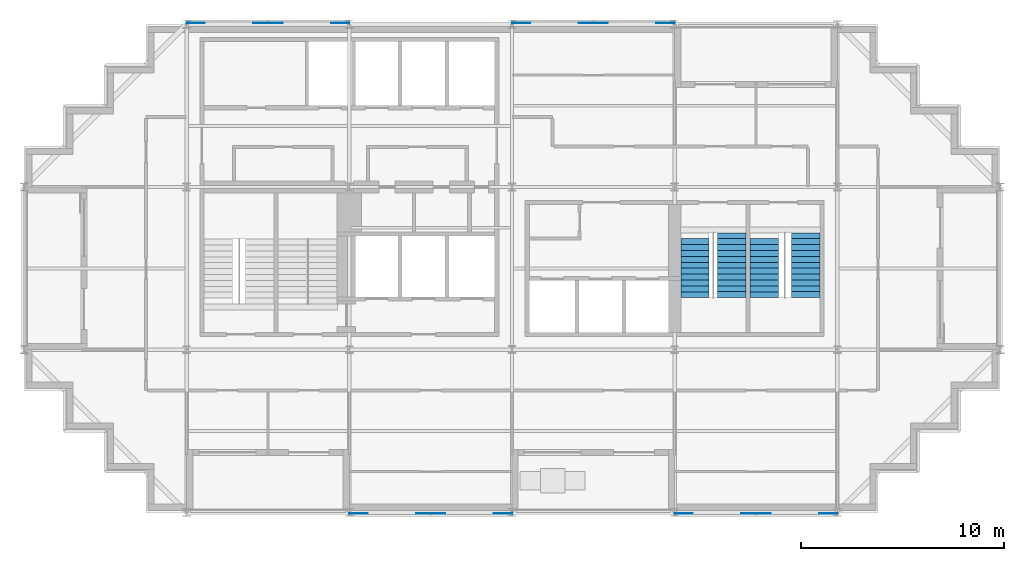
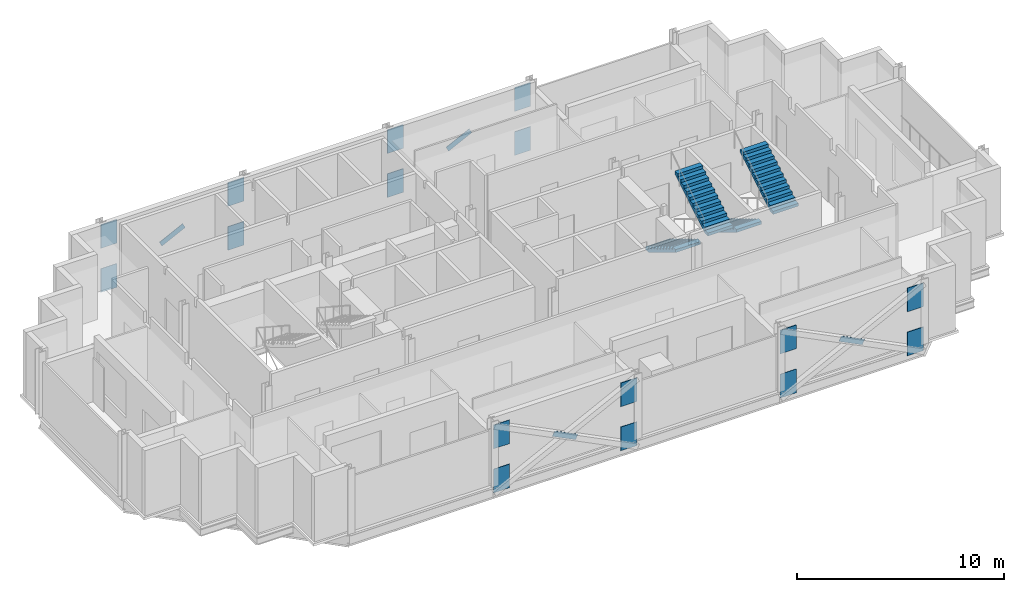
# One storey, part 8 of 10: 20 discrete accessories, 4 stair flights, 2 elements without a shape of their own.
"""IFC4 building model written with IfcOpenShell, lengths in metres."""

from ifc_helpers import new_model, si_unit, direction, frame, origin, origin_2d, place, context, subcontext, project, spatial, polyline, rectangle, outline, extrude, material, material_profile, profile_set, type_object, element, aggregate, save


model = new_model("IFC4")

# Units and contexts
model_context = context("Model", 3, precision=1e-05, world=origin(), true_north=direction((0.0, 1.0)))
body_context = subcontext(model_context, "Body", "Model", "MODEL_VIEW")
ifc_project = project(units=[si_unit("LENGTHUNIT", "METRE"), si_unit("AREAUNIT", "SQUARE_METRE"), si_unit("VOLUMEUNIT", "CUBIC_METRE"), si_unit("PLANEANGLEUNIT", "RADIAN"), si_unit("MASSUNIT", "GRAM", prefix="KILO")], contexts=[model_context])

# Site, building, storey
site_placement = place(None, origin())
site = spatial("IfcSite", under=ifc_project, at=site_placement, CompositionType="ELEMENT")
building_placement = place(site_placement, origin())
building = spatial("IfcBuilding", under=site, at=building_placement, Name="Immortelle Media Tower", CompositionType="ELEMENT")
storey_placement = place(building_placement, frame((0.0, 0.0, 263.0)))
storey = spatial("IfcBuildingStorey", under=building, at=storey_placement, Name="L57", CompositionType="ELEMENT", Elevation=263.0)

# Stair, stair flights
ifc_material_1 = material(Name="Steel ASTM A992 Gr 50", Category="steel")
stair_type = type_object("IfcStairType", Name="Stair with flights", PredefinedType="DOUBLE_RETURN_STAIR", material=ifc_material_1)
stair_1_placement = place(storey_placement, origin())
stair_1 = element("IfcStair", 1, at=stair_1_placement, inside=storey, type_object=stair_type, Name="Exit stair SE1", PredefinedType="DOUBLE_RETURN_STAIR")
stair_flight_type = type_object("IfcStairFlightType", Name="Stair flight 1400", PredefinedType="STRAIGHT", material=ifc_material_1)
stair_flight_1_placement = place(storey_placement, frame((33.0, 13.4599609375, 0.0), z_axis=(0.0, 0.0, 1.0), x_axis=(0.0, -1.0, 0.0)))
stair_flight_1 = element("IfcStairFlight", 2, at=stair_flight_1_placement, type_object=stair_flight_type, Name="ST SE1 flight 1", NumberOfRisers=11, NumberOfTreads=10, PredefinedType="STRAIGHT", RiserHeight=0.173913043, TreadLength=0.29, context=body_context, shape_type="SweptSolid", body=[
    extrude(outline(polyline([(0.0, 0.0), (0.0, 0.173828125), (0.2900390625, 0.173828125), (0.2900390625, 0.347900390625), (0.580078125, 0.347900390625), (0.580078125, 0.521728515625), (0.8701171875, 0.521728515625), (0.8701171875, 0.695556640625), (1.159912109375, 0.695556640625), (1.159912109375, 0.86962890625), (1.449951171875, 0.86962890625), (1.449951171875, 1.04345703125), (1.739990234375, 1.04345703125), (1.739990234375, 1.21728515625), (2.030029296875, 1.21728515625), (2.030029296875, 1.391357421875), (2.320068359375, 1.391357421875), (2.320068359375, 1.565185546875), (2.610107421875, 1.565185546875), (2.610107421875, 1.739013671875), (2.89990234375, 1.739013671875), (2.89990234375, 1.9130859375), (2.89990234375, 1.564453125), (0.29150390625, 0.0), (0.0, 0.0)])), frame((0.0, 0.699951171875, 0.0), z_axis=(0.0, -1.0, 0.0), x_axis=(1.0, 0.0, 0.0)), (0.0, 0.0, 1.0), 1.39990234375),
])
stair_flight_2_placement = place(storey_placement, frame((34.800048828125, 10.56005859375, 1.9130859375), z_axis=(0.0, 0.0, 1.0), x_axis=(0.0, 1.0, 0.0)))
stair_flight_2 = element("IfcStairFlight", 3, at=stair_flight_2_placement, type_object=stair_flight_type, Name="ST SE1 flight 2", NumberOfRisers=12, NumberOfTreads=11, PredefinedType="STRAIGHT", RiserHeight=0.173913043, TreadLength=0.29, context=body_context, shape_type="SweptSolid", body=[
    extrude(outline(polyline([(0.0, 0.0), (0.0, 0.173828125), (0.2900390625, 0.173828125), (0.2900390625, 0.347900390625), (0.580078125, 0.347900390625), (0.580078125, 0.521728515625), (0.8701171875, 0.521728515625), (0.8701171875, 0.695556640625), (1.159912109375, 0.695556640625), (1.159912109375, 0.86962890625), (1.449951171875, 0.86962890625), (1.449951171875, 1.04345703125), (1.739990234375, 1.04345703125), (1.739990234375, 1.21728515625), (2.030029296875, 1.21728515625), (2.030029296875, 1.391357421875), (2.320068359375, 1.391357421875), (2.320068359375, 1.565185546875), (2.610107421875, 1.565185546875), (2.610107421875, 1.739013671875), (2.89990234375, 1.739013671875), (2.89990234375, 1.9130859375), (3.18994140625, 1.9130859375), (3.18994140625, 2.0869140625), (3.18994140625, 1.73828125), (0.29150390625, 0.0), (0.0, 0.0)])), frame((0.0, 0.699951171875, 0.0), z_axis=(0.0, -1.0, 0.0), x_axis=(1.0, 0.0, 0.0)), (0.0, 0.0, 1.0), 1.39990234375),
])
aggregate(stair_1, [stair_flight_1, stair_flight_2])

stair_2_placement = place(storey_placement, origin())
stair_2 = element("IfcStair", 4, at=stair_2_placement, inside=storey, type_object=stair_type, Name="Exit stair SE2", PredefinedType="DOUBLE_RETURN_STAIR")
stair_flight_3_placement = place(storey_placement, frame((36.39990234375, 13.4599609375, 0.0), z_axis=(0.0, 0.0, 1.0), x_axis=(0.0, -1.0, 0.0)))
stair_flight_3 = element("IfcStairFlight", 5, at=stair_flight_3_placement, type_object=stair_flight_type, Name="ST SE2 flight 1", NumberOfRisers=11, NumberOfTreads=10, PredefinedType="STRAIGHT", RiserHeight=0.173913043, TreadLength=0.29, context=body_context, shape_type="SweptSolid", body=[
    extrude(outline(polyline([(0.0, 0.0), (0.0, 0.173828125), (0.2900390625, 0.173828125), (0.2900390625, 0.347900390625), (0.580078125, 0.347900390625), (0.580078125, 0.521728515625), (0.8701171875, 0.521728515625), (0.8701171875, 0.695556640625), (1.159912109375, 0.695556640625), (1.159912109375, 0.86962890625), (1.449951171875, 0.86962890625), (1.449951171875, 1.04345703125), (1.739990234375, 1.04345703125), (1.739990234375, 1.21728515625), (2.030029296875, 1.21728515625), (2.030029296875, 1.391357421875), (2.320068359375, 1.391357421875), (2.320068359375, 1.565185546875), (2.610107421875, 1.565185546875), (2.610107421875, 1.739013671875), (2.89990234375, 1.739013671875), (2.89990234375, 1.9130859375), (2.89990234375, 1.564453125), (0.29150390625, 0.0), (0.0, 0.0)])), frame((0.0, 0.699951171875, 0.0), z_axis=(0.0, -1.0, 0.0), x_axis=(1.0, 0.0, 0.0)), (0.0, 0.0, 1.0), 1.39990234375),
])
stair_flight_4_placement = place(storey_placement, frame((38.449951171875, 10.56005859375, 1.9130859375), z_axis=(0.0, 0.0, 1.0), x_axis=(0.0, 1.0, 0.0)))
stair_flight_4 = element("IfcStairFlight", 6, at=stair_flight_4_placement, type_object=stair_flight_type, Name="ST SE2 flight 2", NumberOfRisers=12, NumberOfTreads=11, PredefinedType="STRAIGHT", RiserHeight=0.173913043, TreadLength=0.29, context=body_context, shape_type="SweptSolid", body=[
    extrude(outline(polyline([(0.0, 0.0), (0.0, 0.173828125), (0.2900390625, 0.173828125), (0.2900390625, 0.347900390625), (0.580078125, 0.347900390625), (0.580078125, 0.521728515625), (0.8701171875, 0.521728515625), (0.8701171875, 0.695556640625), (1.159912109375, 0.695556640625), (1.159912109375, 0.86962890625), (1.449951171875, 0.86962890625), (1.449951171875, 1.04345703125), (1.739990234375, 1.04345703125), (1.739990234375, 1.21728515625), (2.030029296875, 1.21728515625), (2.030029296875, 1.391357421875), (2.320068359375, 1.391357421875), (2.320068359375, 1.565185546875), (2.610107421875, 1.565185546875), (2.610107421875, 1.739013671875), (2.89990234375, 1.739013671875), (2.89990234375, 1.9130859375), (3.18994140625, 1.9130859375), (3.18994140625, 2.0869140625), (3.18994140625, 1.73828125), (0.29150390625, 0.0), (0.0, 0.0)])), frame((0.0, 0.699951171875, 0.0), z_axis=(0.0, -1.0, 0.0), x_axis=(1.0, 0.0, 0.0)), (0.0, 0.0, 1.0), 1.39990234375),
])
aggregate(stair_2, [stair_flight_3, stair_flight_4])

# Discrete accessories
ifc_material_2 = material(Name="Steel ASTM A572 Gr 50", Category="steel")
ifc_material_profile_1 = material_profile(ifc_material_2, rectangle(XDim=0.02392578125, YDim=0.304931640625, at=origin_2d()), Name="PL 24 x 305")
ifc_profile_set_1 = profile_set([ifc_material_profile_1], Name="Steel ASTM A572 Gr 50")
discrete_accessory_type_1 = type_object("IfcDiscreteAccessoryType", Name="Crossing plate XP-BR6 1450 x 305 x 24", PredefinedType="USERDEFINED", material=ifc_profile_set_1)
for number, where, z_axis, x_axis, name in (
    (7, (28.6484375, 24.0625, 1.8681640625), (-0.894427191, 0.0, -0.4472135955), (0.0, -1.0, 0.0), "Crossing plate XP-BR6 of Brace D/4-5 A and Brace D/4-5 B"),
    (8, (12.6484375, 24.0625, 1.8681640625), (-0.894427191, 0.0, -0.4472135955), (0.0, -1.0, 0.0), "Crossing plate XP-BR6 of Brace D/2-3 A and Brace D/2-3 B"),
    (9, (19.3515625, -0.0625, 1.8681640625), (0.894427191, 0.0, -0.4472135955), (0.0, 1.0, 0.0), "Crossing plate XP-BR6 of Brace A/3-4 A and Brace A/3-4 B"),
    (10, (35.3515625, -0.0625, 1.8681640625), (0.894427191, 0.0, -0.4472135955), (0.0, 1.0, 0.0), "Crossing plate XP-BR6 of Brace A/5-6 A and Brace A/5-6 B"),
):
    element("IfcDiscreteAccessory", number, at=place(storey_placement, frame(where, z_axis=z_axis, x_axis=x_axis)), inside=storey, type_object=discrete_accessory_type_1, Name=name, ObjectType="CROSSING PLATE", PredefinedType="USERDEFINED", context=body_context, shape_type="SweptSolid", body=[
        extrude(rectangle(XDim=0.02392578125, YDim=0.304931640625, at=origin_2d()), origin(), (0.0, 0.0, 1.0), 1.449951171875),
    ])
ifc_material_profile_2 = material_profile(ifc_material_2, rectangle(XDim=0.031982421875, YDim=1.39990234375, at=origin_2d()), Name="PL 32 x 1400")
ifc_profile_set_2 = profile_set([ifc_material_profile_2], Name="Steel ASTM A572 Gr 50")
discrete_accessory_type_2 = type_object("IfcDiscreteAccessoryType", Name="Gusset plate GP1 900 x 1400 x 32", PredefinedType="USERDEFINED", material=ifc_profile_set_2)
for number, where, z_axis, x_axis, name in (
    (11, (16.0, -0.0625, 0.243896484375), (1.0, 0.0, 0.0), (0.0, 1.0, 0.0), "Gusset plate GP1, lower end of Brace A/3-4 A"),
    (12, (24.0, -0.0625, 2.843994140625), (-1.0, 0.0, 0.0), (0.0, -1.0, 0.0), "Gusset plate GP1, upper end of Brace A/3-4 A"),
    (13, (24.0, -0.0625, 0.243896484375), (-1.0, 0.0, 0.0), (0.0, -1.0, 0.0), "Gusset plate GP1, lower end of Brace A/3-4 B"),
    (14, (16.0, -0.0625, 2.843994140625), (1.0, 0.0, 0.0), (0.0, 1.0, 0.0), "Gusset plate GP1, upper end of Brace A/3-4 B"),
    (15, (32.0, -0.0625, 0.243896484375), (1.0, 0.0, 0.0), (0.0, 1.0, 0.0), "Gusset plate GP1, lower end of Brace A/5-6 A"),
    (16, (40.0, -0.0625, 2.843994140625), (-1.0, 0.0, 0.0), (0.0, -1.0, 0.0), "Gusset plate GP1, upper end of Brace A/5-6 A"),
    (17, (40.0, -0.0625, 0.243896484375), (-1.0, 0.0, 0.0), (0.0, -1.0, 0.0), "Gusset plate GP1, lower end of Brace A/5-6 B"),
    (18, (32.0, -0.0625, 2.843994140625), (1.0, 0.0, 0.0), (0.0, 1.0, 0.0), "Gusset plate GP1, upper end of Brace A/5-6 B"),
    (19, (32.0, 24.0625, 0.243896484375), (-1.0, 0.0, 0.0), (0.0, -1.0, 0.0), "Gusset plate GP1, lower end of Brace D/4-5 A"),
    (20, (24.0, 24.0625, 2.843994140625), (1.0, 0.0, 0.0), (0.0, 1.0, 0.0), "Gusset plate GP1, upper end of Brace D/4-5 A"),
    (21, (24.0, 24.0625, 0.243896484375), (1.0, 0.0, 0.0), (0.0, 1.0, 0.0), "Gusset plate GP1, lower end of Brace D/4-5 B"),
    (22, (32.0, 24.0625, 2.843994140625), (-1.0, 0.0, 0.0), (0.0, -1.0, 0.0), "Gusset plate GP1, upper end of Brace D/4-5 B"),
    (23, (16.0, 24.0625, 0.243896484375), (-1.0, 0.0, 0.0), (0.0, -1.0, 0.0), "Gusset plate GP1, lower end of Brace D/2-3 A"),
    (24, (8.0, 24.0625, 2.843994140625), (1.0, 0.0, 0.0), (0.0, 1.0, 0.0), "Gusset plate GP1, upper end of Brace D/2-3 A"),
    (25, (8.0, 24.0625, 0.243896484375), (1.0, 0.0, 0.0), (0.0, 1.0, 0.0), "Gusset plate GP1, lower end of Brace D/2-3 B"),
    (26, (16.0, 24.0625, 2.843994140625), (-1.0, 0.0, 0.0), (0.0, -1.0, 0.0), "Gusset plate GP1, upper end of Brace D/2-3 B"),
):
    element("IfcDiscreteAccessory", number, at=place(storey_placement, frame(where, z_axis=z_axis, x_axis=x_axis)), inside=storey, type_object=discrete_accessory_type_2, Name=name, ObjectType="GUSSET PLATE", PredefinedType="USERDEFINED", context=body_context, shape_type="SweptSolid", body=[
        extrude(rectangle(XDim=0.031982421875, YDim=1.39990234375, at=origin_2d()), origin(), (0.0, 0.0, 1.0), 0.89990234375),
    ])

save(model, "model.ifc")
